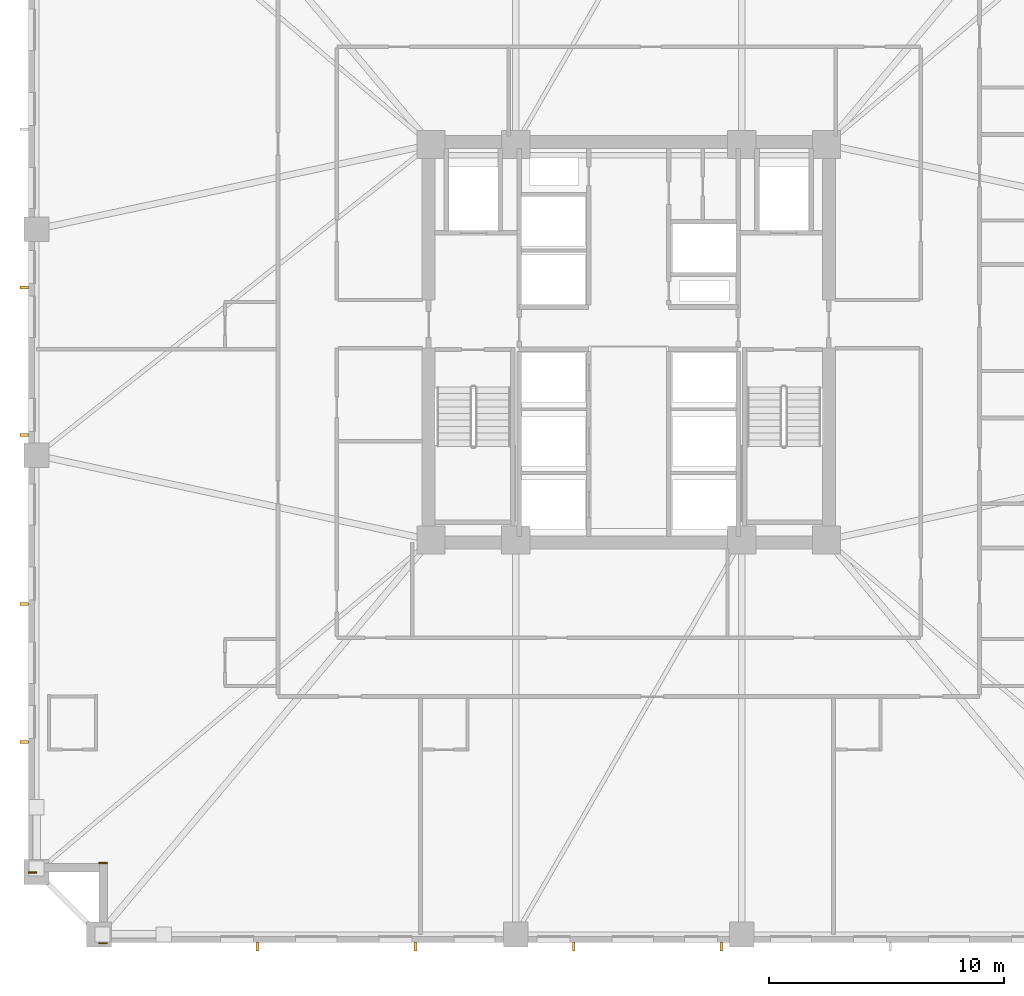
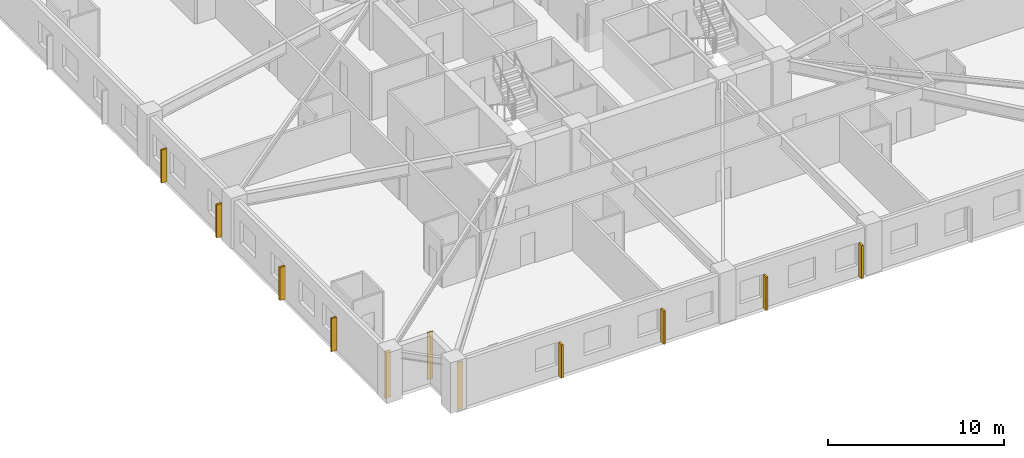
# One storey, part 8 of 12: 8 shading devices, 3 coverings.
"""IFC4 building model written with IfcOpenShell, lengths in metres."""

from ifc_helpers import new_model, si_unit, direction, frame, frame_2d, origin, origin_2d, place, context, subcontext, project, spatial, rectangle, extrude, material, layer, layer_set, type_object, element, save


model = new_model("IFC4")

# Units and contexts
model_context = context("Model", 3, precision=1e-05, world=origin(), true_north=direction((0.0, 1.0)))
body_context = subcontext(model_context, "Body", "Model", "MODEL_VIEW")
ifc_project = project(units=[si_unit("LENGTHUNIT", "METRE"), si_unit("AREAUNIT", "SQUARE_METRE"), si_unit("VOLUMEUNIT", "CUBIC_METRE"), si_unit("PLANEANGLEUNIT", "RADIAN"), si_unit("MASSUNIT", "GRAM", prefix="KILO")], contexts=[model_context])

# Site, building, storey
site_placement = place(None, origin())
site = spatial("IfcSite", under=ifc_project, at=site_placement, CompositionType="ELEMENT")
building_placement = place(site_placement, origin())
building = spatial("IfcBuilding", under=site, at=building_placement, Name="Cairnveth Concourse Tower", CompositionType="ELEMENT")
storey_placement = place(building_placement, frame((0.0, 0.0, 90.0)))
storey = spatial("IfcBuildingStorey", under=building, at=storey_placement, Name="L24", CompositionType="ELEMENT", Elevation=90.0)

# Coverings
ifc_material_1 = material(Name="Dressed Melbourne Bluestone Cladding", Category="masonry")
ifc_layer = layer(ifc_material_1, 0.050048828125)
ifc_layer_set = layer_set([ifc_layer], Name="Dressed Melbourne Bluestone Cladding")
covering_type = type_object("IfcCoveringType", Name="DRESSED BLUESTONE PLINTH CLADDING 50", PredefinedType="CLADDING", material=ifc_layer_set)
for number, where, z_axis, x_axis, name in (
    (1, (29.860107421875, 13.47998046875, 0.0), (0.0, 0.0, 1.0), (-1.0, 0.0, 0.0), "Melbourne Bluestone Corner Quoin L24-334"),
    (2, (29.860107421875, 16.8798828125, 0.0), (0.0, 0.0, 1.0), (-1.0, 0.0, 0.0), "Melbourne Bluestone Corner Quoin L24-335"),
    (3, (26.860107421875, 16.47998046875, 0.0), (0.0, 0.0, 1.0), (-1.0, 0.0, 0.0), "Melbourne Bluestone Corner Quoin L24-336"),
):
    element("IfcCovering", number, at=place(storey_placement, frame(where, z_axis=z_axis, x_axis=x_axis)), inside=storey, type_object=covering_type, Name=name, PredefinedType="CLADDING", context=body_context, shape_type="SweptSolid", body=[
        extrude(rectangle(XDim=0.360107421875, YDim=0.050048828125, at=frame_2d((0.18017578125, 0.0))), origin(), (0.0, 0.0, 1.0), 3.280029296875),
    ])

# Shading devices
ifc_material_2 = material(Name="Architectural Bronze Anodised Aluminium 6063-T6", Category="aluminium")
shading_device_type = type_object("IfcShadingDeviceType", Name="GOTHIC BRONZE VERTICAL LANCET FIN", PredefinedType="USERDEFINED", material=ifc_material_2)
for number, where, z_axis, x_axis, name in (
    (4, (55.939208984375, 13.324951171875, 0.02978515625), (0.0, 0.0, 1.0), (1.0, 0.0, 0.0), "Gothic Bronze Vertical Fin L24-6-5"),
    (5, (49.668701171875, 13.324951171875, 0.02978515625), (0.0, 0.0, 1.0), (1.0, 0.0, 0.0), "Gothic Bronze Vertical Fin L24-6-7"),
    (6, (42.948486328125, 13.324951171875, 0.02978515625), (0.0, 0.0, 1.0), (1.0, 0.0, 0.0), "Gothic Bronze Vertical Fin L24-6-9"),
    (7, (36.22802734375, 13.324951171875, 0.02978515625), (0.0, 0.0, 1.0), (1.0, 0.0, 0.0), "Gothic Bronze Vertical Fin L24-6-11"),
    (8, (26.324951171875, 22.02001953125, 0.02978515625), (0.0, 0.0, 1.0), (0.0, 1.0, 0.0), "Gothic Bronze Vertical Fin L24-9-1"),
    (9, (26.324951171875, 27.890380859375, 0.02978515625), (0.0, 0.0, 1.0), (0.0, 1.0, 0.0), "Gothic Bronze Vertical Fin L24-9-3"),
    (10, (26.324951171875, 35.060791015625, 0.02978515625), (0.0, 0.0, 1.0), (0.0, 1.0, 0.0), "Gothic Bronze Vertical Fin L24-9-5"),
    (11, (26.324951171875, 41.331298828125, 0.02978515625), (0.0, 0.0, 1.0), (0.0, 1.0, 0.0), "Gothic Bronze Vertical Fin L24-9-7"),
):
    element("IfcShadingDevice", number, at=place(storey_placement, frame(where, z_axis=z_axis, x_axis=x_axis)), inside=storey, type_object=shading_device_type, Name=name, ObjectType="VERTICAL FIN", PredefinedType="USERDEFINED", context=body_context, shape_type="SweptSolid", body=[
        extrude(rectangle(XDim=0.1201171875, YDim=0.360107421875, at=origin_2d()), origin(), (0.0, 0.0, 1.0), 2.303955078125),
    ])

save(model, "model.ifc")
